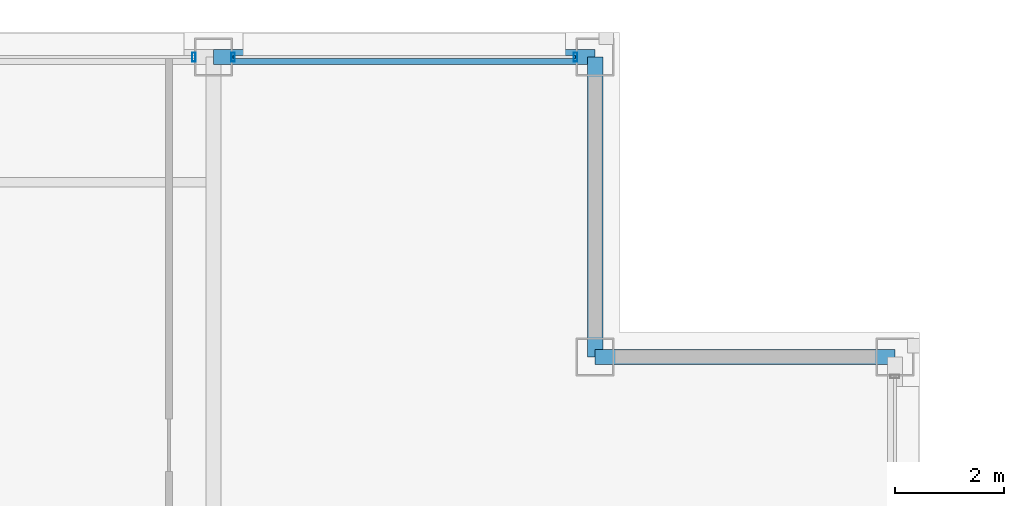
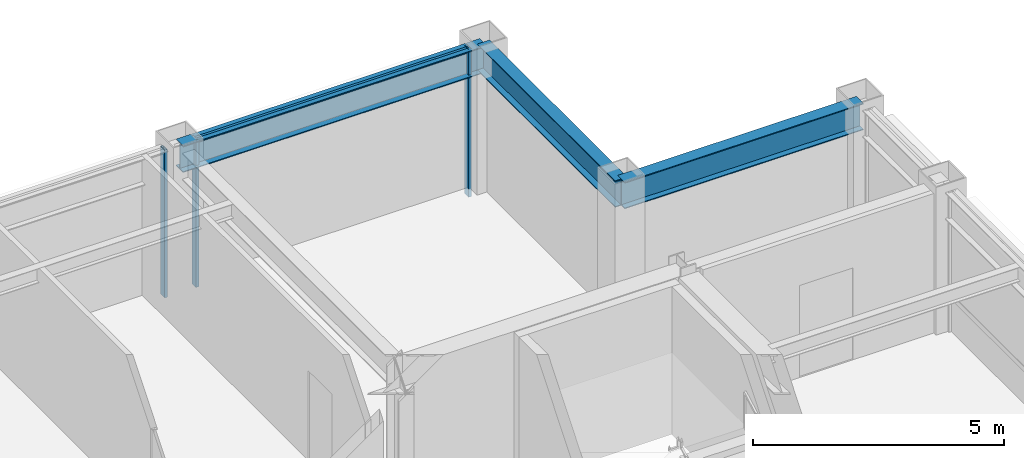
# One storey, part 22 of 30: 4 members, 3 beams, 2 elements without a shape of their own.
"""IFC4 building model written with IfcOpenShell, lengths in metres."""

from ifc_helpers import new_model, si_unit, direction, frame, origin, origin_2d, place, context, subcontext, project, spatial, hollow_rectangle, i_section, extrude, material, layer, layer_set, material_profile, profile_set, type_object, element, aggregate, save


model = new_model("IFC4")

# Units and contexts
model_context = context("Model", 3, precision=1e-05, world=origin(), true_north=direction((0.0, 1.0)))
body_context = subcontext(model_context, "Body", "Model", "MODEL_VIEW")
ifc_project = project(units=[si_unit("LENGTHUNIT", "METRE"), si_unit("AREAUNIT", "SQUARE_METRE"), si_unit("VOLUMEUNIT", "CUBIC_METRE"), si_unit("PLANEANGLEUNIT", "RADIAN"), si_unit("MASSUNIT", "GRAM", prefix="KILO")], contexts=[model_context])

# Site, building, storey
site_placement = place(None, origin())
site = spatial("IfcSite", under=ifc_project, at=site_placement, CompositionType="ELEMENT")
building_placement = place(site_placement, origin())
building = spatial("IfcBuilding", under=site, at=building_placement, Name="Brelmoor Portico Tower", CompositionType="ELEMENT")
storey_placement = place(building_placement, frame((0.0, 0.0, 187.5)))
storey = spatial("IfcBuildingStorey", under=building, at=storey_placement, Name="L49", CompositionType="ELEMENT", Elevation=187.5)

# Beams
ifc_material_1 = material(Name="Steel Q355B", Category="steel")
ifc_material_profile_1 = material_profile(ifc_material_1, i_section(OverallWidth=0.280029296875, OverallDepth=0.64990234375, WebThickness=0.012939453125, FlangeThickness=0.02197265625, at=origin_2d()), Name="HN 650x280x13x22")
ifc_profile_set_1 = profile_set([ifc_material_profile_1], Name="Steel Q355B")
beam_type = type_object("IfcBeamType", Name="BM-SP-650", PredefinedType="SPANDREL", material=ifc_profile_set_1)
beam_1_placement = place(storey_placement, frame((15.050048828125, 13.050048828125, 3.074951171875), z_axis=(1.0, 0.0, 0.0), x_axis=(0.0, 1.0, 0.0)))
element("IfcBeam", 1, at=beam_1_placement, inside=storey, type_object=beam_type, Name="L49 Perimeter Spandrel Beam SP-07", PredefinedType="SPANDREL", context=body_context, shape_type="SweptSolid", body=[
    extrude(i_section(OverallWidth=0.280029296875, OverallDepth=0.64990234375, WebThickness=0.012939453125, FlangeThickness=0.02197265625, at=origin_2d()), origin(), (0.0, 0.0, 1.0), 5.5),
])
beam_2_placement = place(storey_placement, frame((8.050048828125, 18.550048828125, 3.074951171875), z_axis=(1.0, 0.0, 0.0), x_axis=(0.0, 1.0, 0.0)))
element("IfcBeam", 2, at=beam_2_placement, inside=storey, type_object=beam_type, Name="L49 Perimeter Spandrel Beam SP-10", PredefinedType="SPANDREL", context=body_context, shape_type="SweptSolid", body=[
    extrude(i_section(OverallWidth=0.280029296875, OverallDepth=0.64990234375, WebThickness=0.012939453125, FlangeThickness=0.02197265625, at=origin_2d()), origin(), (0.0, 0.0, 1.0), 7.0),
])
beam_3_placement = place(storey_placement, frame((15.050048828125, 13.050048828125, 3.074951171875), z_axis=(0.0, 1.0, 0.0), x_axis=(-1.0, 0.0, 0.0)))
element("IfcBeam", 3, at=beam_3_placement, inside=storey, type_object=beam_type, Name="L49 Perimeter Spandrel Beam SP-17", PredefinedType="SPANDREL", context=body_context, shape_type="SweptSolid", body=[
    extrude(i_section(OverallWidth=0.280029296875, OverallDepth=0.64990234375, WebThickness=0.012939453125, FlangeThickness=0.02197265625, at=origin_2d()), origin(), (0.0, 0.0, 1.0), 5.5),
])

# Curtain wall, member
ifc_material_2 = material(Name="Anodised Aluminium Alloy 6063-T6", Category="aluminium")
ifc_layer = layer(ifc_material_2, 0.179931640625)
ifc_layer_set = layer_set([ifc_layer], Name="Anodised Aluminium Alloy 6063-T6")
curtain_wall_type = type_object("IfcCurtainWallType", Name="CW-TOWER-Z3-XB", PredefinedType="NOTDEFINED", material=ifc_layer_set)
curtain_wall_1_placement = place(storey_placement, origin())
curtain_wall_1 = element("IfcCurtainWall", 4, at=curtain_wall_1_placement, inside=storey, type_object=curtain_wall_type, Name="L49 Curtain Wall CW-L49-02-2", PredefinedType="NOTDEFINED")
ifc_material_profile_2 = material_profile(ifc_material_2, hollow_rectangle(XDim=0.06494140625, YDim=0.1650390625, WallThickness=0.00390625, at=origin_2d()), Name="ALU MULLION 65x165")
ifc_profile_set_2 = profile_set([ifc_material_profile_2], Name="Anodised Aluminium Alloy 6063-T6")
member_type_1 = type_object("IfcMemberType", Name="MB-CW-MULL-165", PredefinedType="MULLION", material=ifc_profile_set_2)
member_1_placement = place(storey_placement, frame((7.68994140625, 18.550048828125, -0.199951171875), z_axis=(0.0, 0.0, 1.0), x_axis=(1.0, 0.0, 0.0)))
member_1 = element("IfcMember", 5, at=member_1_placement, type_object=member_type_1, Name="CW-L49-02-2 Mullion 01", PredefinedType="MULLION", context=body_context, shape_type="SweptSolid", body=[
    extrude(hollow_rectangle(XDim=0.06494140625, YDim=0.1650390625, WallThickness=0.00390625, at=origin_2d()), origin(), (0.0, 0.0, 1.0), 3.599853515625),
])
aggregate(curtain_wall_1, [member_1])

# Curtain wall, members
curtain_wall_2_placement = place(storey_placement, origin())
curtain_wall_2 = element("IfcCurtainWall", 6, at=curtain_wall_2_placement, inside=storey, type_object=curtain_wall_type, Name="L49 Curtain Wall CW-L49-02-3", PredefinedType="NOTDEFINED")
member_2_placement = place(storey_placement, frame((8.409912109375, 18.550048828125, -0.199951171875), z_axis=(0.0, 0.0, 1.0), x_axis=(1.0, 0.0, 0.0)))
member_2 = element("IfcMember", 7, at=member_2_placement, type_object=member_type_1, Name="CW-L49-02-3 Mullion 00", PredefinedType="MULLION", context=body_context, shape_type="SweptSolid", body=[
    extrude(hollow_rectangle(XDim=0.06494140625, YDim=0.1650390625, WallThickness=0.00390625, at=origin_2d()), origin(), (0.0, 0.0, 1.0), 3.599853515625),
])
member_3_placement = place(storey_placement, frame((14.68994140625, 18.550048828125, -0.199951171875), z_axis=(0.0, 0.0, 1.0), x_axis=(1.0, 0.0, 0.0)))
member_3 = element("IfcMember", 8, at=member_3_placement, type_object=member_type_1, Name="CW-L49-02-3 Mullion 01", PredefinedType="MULLION", context=body_context, shape_type="SweptSolid", body=[
    extrude(hollow_rectangle(XDim=0.06494140625, YDim=0.1650390625, WallThickness=0.00390625, at=origin_2d()), origin(), (0.0, 0.0, 1.0), 3.599853515625),
])
ifc_material_profile_3 = material_profile(ifc_material_2, hollow_rectangle(XDim=0.06005859375, YDim=0.125, WallThickness=0.00341796875, at=origin_2d()), Name="ALU TRANSOM 60x125")
ifc_profile_set_3 = profile_set([ifc_material_profile_3], Name="Anodised Aluminium Alloy 6063-T6")
member_type_2 = type_object("IfcMemberType", Name="MB-CW-TRAN-125", PredefinedType="USERDEFINED", material=ifc_profile_set_3)
member_4_placement = place(storey_placement, frame((8.409912109375, 18.550048828125, 3.33740234375), z_axis=(1.0, 0.0, 0.0), x_axis=(0.0, 1.0, 0.0)))
member_4 = element("IfcMember", 9, at=member_4_placement, type_object=member_type_2, Name="CW-L49-02-3 Transom 1-00", ObjectType="TRANSOM", PredefinedType="USERDEFINED", context=body_context, shape_type="SweptSolid", body=[
    extrude(hollow_rectangle(XDim=0.06005859375, YDim=0.125, WallThickness=0.00341796875, at=origin_2d()), origin(), (0.0, 0.0, 1.0), 6.280029296875),
])
aggregate(curtain_wall_2, [member_2, member_3, member_4])

save(model, "model.ifc")
